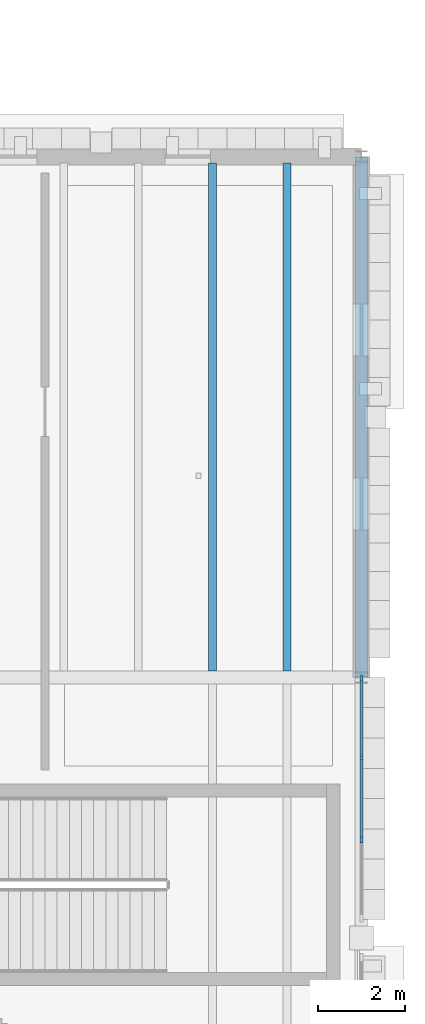
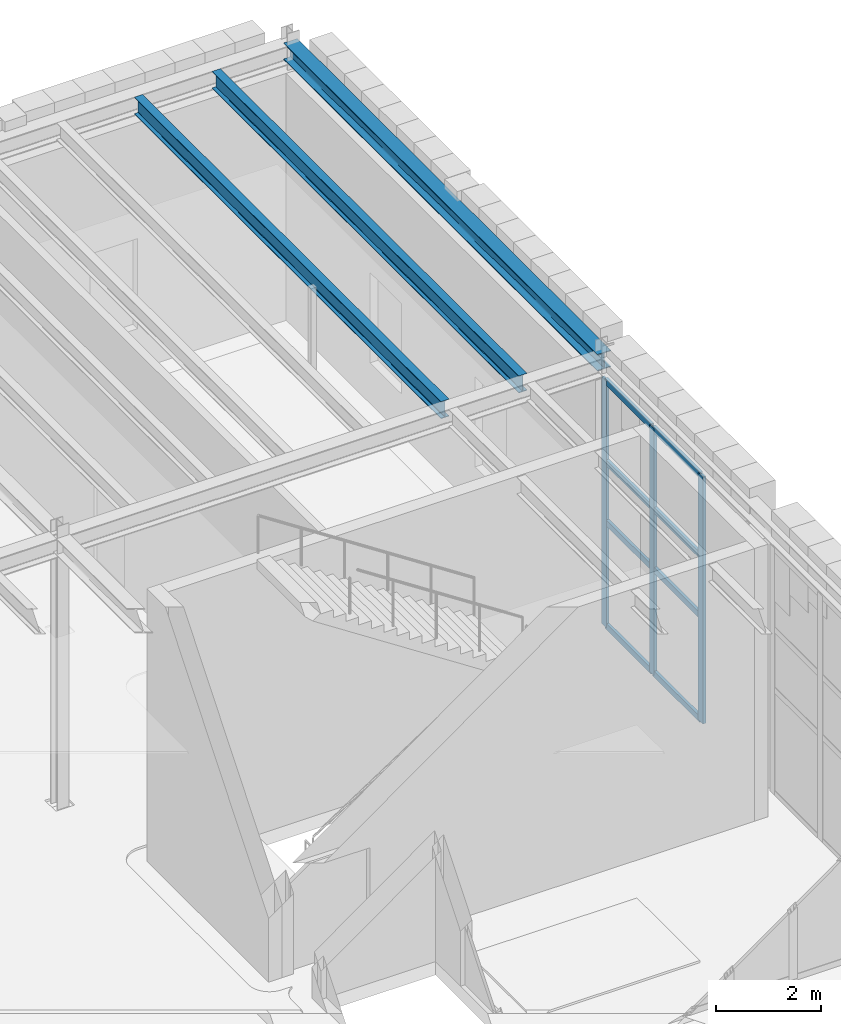
# One storey, part 30 of 62: 11 members, 3 beams, 1 element without a shape of its own.
"""IFC4 building model written with IfcOpenShell, lengths in metres."""

from ifc_helpers import new_model, si_unit, direction, frame, origin, origin_2d, place, context, subcontext, project, spatial, rectangle, i_section, extrude, material, layer, layer_set, material_profile, profile_set, type_object, element, aggregate, save


model = new_model("IFC4")

# Units and contexts
model_context = context("Model", 3, precision=1e-05, world=origin(), true_north=direction((0.0, 1.0)))
body_context = subcontext(model_context, "Body", "Model", "MODEL_VIEW")
ifc_project = project(units=[si_unit("LENGTHUNIT", "METRE"), si_unit("AREAUNIT", "SQUARE_METRE"), si_unit("VOLUMEUNIT", "CUBIC_METRE"), si_unit("PLANEANGLEUNIT", "RADIAN"), si_unit("MASSUNIT", "GRAM", prefix="KILO")], contexts=[model_context])

# Site, building, storey
site_placement = place(None, origin())
site = spatial("IfcSite", under=ifc_project, at=site_placement, CompositionType="ELEMENT")
building_placement = place(site_placement, origin())
building = spatial("IfcBuilding", under=site, at=building_placement, Name="Zlatogorsky Bluff Art Gallery", CompositionType="ELEMENT")
storey_placement = place(building_placement, frame((0.0, 0.0, 16.800048828125)))
storey = spatial("IfcBuildingStorey", under=building, at=storey_placement, Name="L03", CompositionType="ELEMENT", Elevation=16.800048828125)

# Beams
ifc_material_1 = material(Name="Steel S355", Category="steel")
ifc_material_profile_1 = material_profile(ifc_material_1, i_section(OverallWidth=0.300048828125, OverallDepth=0.389892578125, WebThickness=0.010986328125, FlangeThickness=0.01904296875, FilletRadius=0.027099609375, at=origin_2d()), Name="HEA 400")
ifc_profile_set_1 = profile_set([ifc_material_profile_1], Name="Steel S355")
beam_type_1 = type_object("IfcBeamType", Name="Beam BM-09 HEA 400", PredefinedType="BEAM", material=ifc_profile_set_1)
beam_placement = place(storey_placement, frame((156.0, 96.014892578125, 6.135009765625), z_axis=(0.0, 1.0, 0.0), x_axis=(-1.0, 0.0, 0.0)))
element("IfcBeam", 1, at=beam_placement, inside=storey, type_object=beam_type_1, Name="Primary girder BM-09 L03 P/10-11", PredefinedType="BEAM", context=body_context, shape_type="SweptSolid", body=[
    extrude(i_section(OverallWidth=0.300048828125, OverallDepth=0.389892578125, WebThickness=0.010986328125, FlangeThickness=0.01904296875, FilletRadius=0.027099609375, at=origin_2d()), origin(), (0.0, 0.0, 1.0), 11.97021484375),
])
ifc_material_profile_2 = material_profile(ifc_material_1, i_section(OverallWidth=0.179931640625, OverallDepth=0.39990234375, WebThickness=0.008544921875, FlangeThickness=0.013427734375, FilletRadius=0.02099609375, at=origin_2d()), Name="IPE 400")
ifc_profile_set_2 = profile_set([ifc_material_profile_2], Name="Steel S355")
beam_type_2 = type_object("IfcBeamType", Name="Beam JS-05 IPE 400", PredefinedType="JOIST", material=ifc_profile_set_2)
for number, where, z_axis, x_axis, name in (
    (2, (152.571533203125, 96.14990234375, 6.1298828125), (0.0, 1.0, 0.0), (-1.0, 0.0, 0.0), "Composite floor joist JS-05 L03 12.09.5"),
    (3, (154.28564453125, 96.14990234375, 6.1298828125), (0.0, 1.0, 0.0), (-1.0, 0.0, 0.0), "Composite floor joist JS-05 L03 12.09.6"),
):
    element("IfcBeam", number, at=place(storey_placement, frame(where, z_axis=z_axis, x_axis=x_axis)), inside=storey, type_object=beam_type_2, Name=name, PredefinedType="JOIST", context=body_context, shape_type="SweptSolid", body=[
        extrude(i_section(OverallWidth=0.179931640625, OverallDepth=0.39990234375, WebThickness=0.008544921875, FlangeThickness=0.013427734375, FilletRadius=0.02099609375, at=origin_2d()), origin(), (0.0, 0.0, 1.0), 11.7001953125),
    ])

# Curtain wall, members
ifc_material_2 = material(Name="Anodised Bronze Aluminium and Low-Iron Triple Glazing", Category="aluminium")
ifc_layer = layer(ifc_material_2, 0.219970703125)
ifc_layer_set = layer_set([ifc_layer], Name="Curtain Wall CW-04")
curtain_wall_type = type_object("IfcCurtainWallType", Name="Curtain Wall CW-04", PredefinedType="USERDEFINED", material=ifc_layer_set)
curtain_wall_placement = place(storey_placement, origin())
curtain_wall = element("IfcCurtainWall", 4, at=curtain_wall_placement, inside=storey, type_object=curtain_wall_type, Name="Unitised curtain wall CW-04 L03 E 12.8-B", ObjectType="CURTAIN WALL", PredefinedType="USERDEFINED")
ifc_material_3 = material(Name="Anodised Bronze Aluminium", Category="aluminium")
ifc_material_profile_3 = material_profile(ifc_material_3, rectangle(XDim=0.06494140625, YDim=0.179931640625, at=origin_2d()), Name="ALU MULLION 65x180")
ifc_profile_set_3 = profile_set([ifc_material_profile_3], Name="Anodised Bronze Aluminium")
member_type_1 = type_object("IfcMemberType", Name="Curtain Mullion ML-01", PredefinedType="MULLION", material=ifc_profile_set_3)
member_1_placement = place(storey_placement, frame((156.0, 92.280029296875, 0.0), z_axis=(0.0, 0.0, 1.0), x_axis=(-1.0, 0.0, 0.0)))
member_1 = element("IfcMember", 5, at=member_1_placement, type_object=member_type_1, Name="CW-04 mullion 2", PredefinedType="MULLION", context=body_context, shape_type="SweptSolid", body=[
    extrude(rectangle(XDim=0.06494140625, YDim=0.179931640625, at=origin_2d()), origin(), (0.0, 0.0, 1.0), 5.75),
])
member_2_placement = place(storey_placement, frame((156.0, 94.139892578125, 0.0), z_axis=(0.0, 0.0, 1.0), x_axis=(-1.0, 0.0, 0.0)))
member_2 = element("IfcMember", 6, at=member_2_placement, type_object=member_type_1, Name="CW-04 mullion 3", PredefinedType="MULLION", context=body_context, shape_type="SweptSolid", body=[
    extrude(rectangle(XDim=0.06494140625, YDim=0.179931640625, at=origin_2d()), origin(), (0.0, 0.0, 1.0), 5.75),
])
member_3_placement = place(storey_placement, frame((156.0, 95.967529296875, 0.0), z_axis=(0.0, 0.0, 1.0), x_axis=(-1.0, 0.0, 0.0)))
member_3 = element("IfcMember", 7, at=member_3_placement, type_object=member_type_1, Name="CW-04 mullion 4", PredefinedType="MULLION", context=body_context, shape_type="SweptSolid", body=[
    extrude(rectangle(XDim=0.06494140625, YDim=0.179931640625, at=origin_2d()), origin(), (0.0, 0.0, 1.0), 5.75),
])
ifc_material_profile_4 = material_profile(ifc_material_3, rectangle(XDim=0.06494140625, YDim=0.139892578125, at=origin_2d()), Name="ALU TRANSOM 65x140")
ifc_profile_set_4 = profile_set([ifc_material_profile_4], Name="Anodised Bronze Aluminium")
member_type_2 = type_object("IfcMemberType", Name="Curtain Transom TR-01", PredefinedType="USERDEFINED", material=ifc_profile_set_4)
member_4_placement = place(storey_placement, frame((156.0, 92.3125, 0.032470703125), z_axis=(0.0, 1.0, 0.0), x_axis=(-1.0, 0.0, 0.0)))
member_4 = element("IfcMember", 8, at=member_4_placement, type_object=member_type_2, Name="CW-04 transom 2.1", ObjectType="TRANSOM", PredefinedType="USERDEFINED", context=body_context, shape_type="SweptSolid", body=[
    extrude(rectangle(XDim=0.06494140625, YDim=0.139892578125, at=origin_2d()), origin(), (0.0, 0.0, 1.0), 1.794921875),
])
member_5_placement = place(storey_placement, frame((156.0, 92.3125, 2.449951171875), z_axis=(0.0, 1.0, 0.0), x_axis=(-1.0, 0.0, 0.0)))
member_5 = element("IfcMember", 9, at=member_5_placement, type_object=member_type_2, Name="CW-04 transom 2.2", ObjectType="TRANSOM", PredefinedType="USERDEFINED", context=body_context, shape_type="SweptSolid", body=[
    extrude(rectangle(XDim=0.06494140625, YDim=0.139892578125, at=origin_2d()), origin(), (0.0, 0.0, 1.0), 1.794921875),
])
member_6_placement = place(storey_placement, frame((156.0, 92.3125, 3.849853515625), z_axis=(0.0, 1.0, 0.0), x_axis=(-1.0, 0.0, 0.0)))
member_6 = element("IfcMember", 10, at=member_6_placement, type_object=member_type_2, Name="CW-04 transom 2.3", ObjectType="TRANSOM", PredefinedType="USERDEFINED", context=body_context, shape_type="SweptSolid", body=[
    extrude(rectangle(XDim=0.06494140625, YDim=0.139892578125, at=origin_2d()), origin(), (0.0, 0.0, 1.0), 1.794921875),
])
member_7_placement = place(storey_placement, frame((156.0, 92.3125, 5.717529296875), z_axis=(0.0, 1.0, 0.0), x_axis=(-1.0, 0.0, 0.0)))
member_7 = element("IfcMember", 11, at=member_7_placement, type_object=member_type_2, Name="CW-04 transom 2.4", ObjectType="TRANSOM", PredefinedType="USERDEFINED", context=body_context, shape_type="SweptSolid", body=[
    extrude(rectangle(XDim=0.06494140625, YDim=0.139892578125, at=origin_2d()), origin(), (0.0, 0.0, 1.0), 1.794921875),
])
member_8_placement = place(storey_placement, frame((156.0, 94.172607421875, 0.032470703125), z_axis=(0.0, 1.0, 0.0), x_axis=(-1.0, 0.0, 0.0)))
member_8 = element("IfcMember", 12, at=member_8_placement, type_object=member_type_2, Name="CW-04 transom 3.1", ObjectType="TRANSOM", PredefinedType="USERDEFINED", context=body_context, shape_type="SweptSolid", body=[
    extrude(rectangle(XDim=0.06494140625, YDim=0.139892578125, at=origin_2d()), origin(), (0.0, 0.0, 1.0), 1.762451171875),
])
member_9_placement = place(storey_placement, frame((156.0, 94.172607421875, 2.449951171875), z_axis=(0.0, 1.0, 0.0), x_axis=(-1.0, 0.0, 0.0)))
member_9 = element("IfcMember", 13, at=member_9_placement, type_object=member_type_2, Name="CW-04 transom 3.2", ObjectType="TRANSOM", PredefinedType="USERDEFINED", context=body_context, shape_type="SweptSolid", body=[
    extrude(rectangle(XDim=0.06494140625, YDim=0.139892578125, at=origin_2d()), origin(), (0.0, 0.0, 1.0), 1.762451171875),
])
member_10_placement = place(storey_placement, frame((156.0, 94.172607421875, 3.849853515625), z_axis=(0.0, 1.0, 0.0), x_axis=(-1.0, 0.0, 0.0)))
member_10 = element("IfcMember", 14, at=member_10_placement, type_object=member_type_2, Name="CW-04 transom 3.3", ObjectType="TRANSOM", PredefinedType="USERDEFINED", context=body_context, shape_type="SweptSolid", body=[
    extrude(rectangle(XDim=0.06494140625, YDim=0.139892578125, at=origin_2d()), origin(), (0.0, 0.0, 1.0), 1.762451171875),
])
member_11_placement = place(storey_placement, frame((156.0, 94.172607421875, 5.717529296875), z_axis=(0.0, 1.0, 0.0), x_axis=(-1.0, 0.0, 0.0)))
member_11 = element("IfcMember", 15, at=member_11_placement, type_object=member_type_2, Name="CW-04 transom 3.4", ObjectType="TRANSOM", PredefinedType="USERDEFINED", context=body_context, shape_type="SweptSolid", body=[
    extrude(rectangle(XDim=0.06494140625, YDim=0.139892578125, at=origin_2d()), origin(), (0.0, 0.0, 1.0), 1.762451171875),
])
aggregate(curtain_wall, [member_1, member_2, member_3, member_4, member_5, member_6, member_7, member_8, member_9, member_10, member_11])

save(model, "model.ifc")
